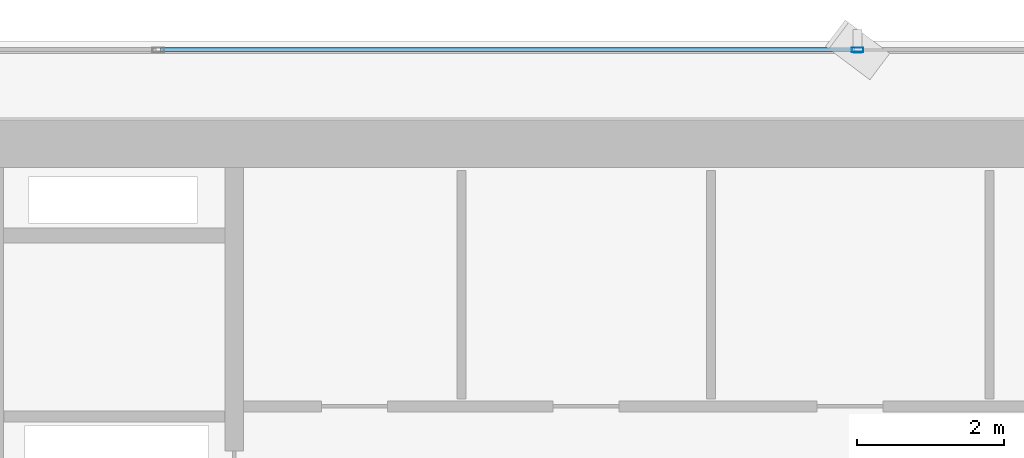
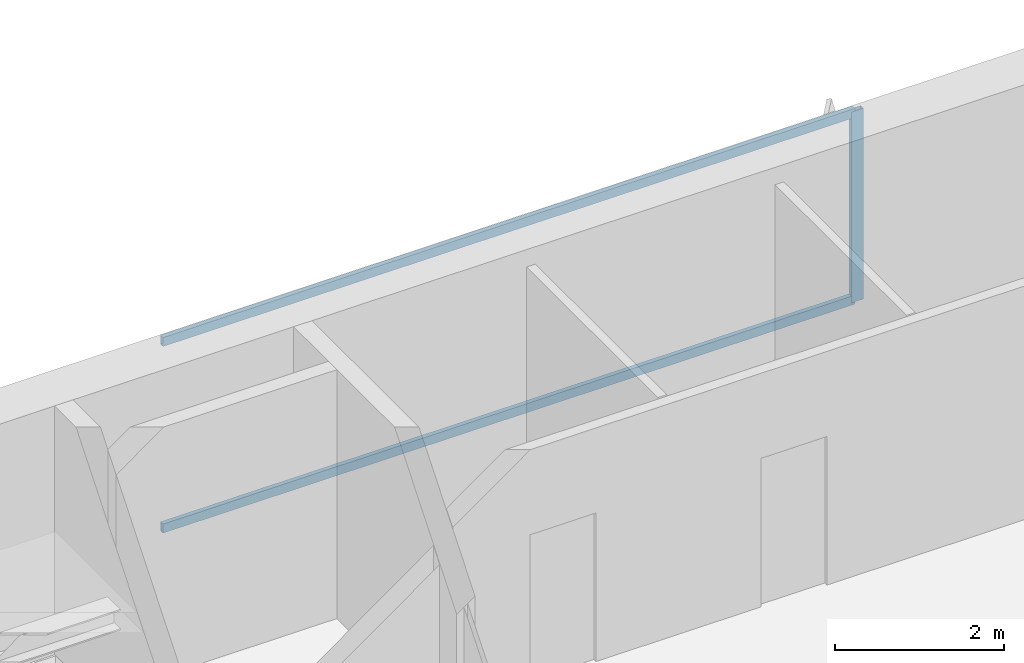
# One storey, part 16 of 27: 3 members, 1 element without a shape of its own.
"""IFC4 building model written with IfcOpenShell, lengths in metres."""

from ifc_helpers import new_model, si_unit, direction, frame, origin, origin_2d, place, context, subcontext, project, spatial, hollow_rectangle, extrude, source, transform, mapped, material, layer, layer_set, material_profile, profile_set, type_object, element, aggregate, save


model = new_model("IFC4")

# Units and contexts
model_context = context("Model", 3, precision=1e-05, world=origin(), true_north=direction((0.0, 1.0)))
body_context = subcontext(model_context, "Body", "Model", "MODEL_VIEW")
ifc_project = project(units=[si_unit("LENGTHUNIT", "METRE"), si_unit("AREAUNIT", "SQUARE_METRE"), si_unit("VOLUMEUNIT", "CUBIC_METRE"), si_unit("PLANEANGLEUNIT", "RADIAN"), si_unit("MASSUNIT", "GRAM", prefix="KILO")], contexts=[model_context])

# Site, building, storey
site_placement = place(None, origin())
site = spatial("IfcSite", under=ifc_project, at=site_placement, CompositionType="ELEMENT")
building_placement = place(site_placement, origin())
building = spatial("IfcBuilding", under=site, at=building_placement, Name="Sumidabori Civic Tower", CompositionType="ELEMENT")
storey_placement = place(building_placement, frame((0.0, 0.0, 164.0)))
storey = spatial("IfcBuildingStorey", under=building, at=storey_placement, Name="L42", CompositionType="ELEMENT", Elevation=164.0)

# Curtain wall, members
ifc_material = material(Name="Anodised Bronze Aluminium AW-6063-T6", Category="aluminium")
ifc_layer = layer(ifc_material, 0.179931640625, Name="Anodised Bronze Aluminium AW-6063-T6")
ifc_layer_set = layer_set([ifc_layer], Name="Anodised Bronze Aluminium AW-6063-T6")
curtain_wall_type = type_object("IfcCurtainWallType", Name="CW-SYS-3", PredefinedType="NOTDEFINED", material=ifc_layer_set)
curtain_wall_placement = place(storey_placement, origin())
curtain_wall = element("IfcCurtainWall", 1, at=curtain_wall_placement, inside=storey, type_object=curtain_wall_type, Name="Curtain Wall CW:L42:R07", PredefinedType="NOTDEFINED")
ifc_material_profile_1 = material_profile(ifc_material, hollow_rectangle(XDim=0.06494140625, YDim=0.159912109375, WallThickness=0.0048828125, at=origin_2d()), Name="ALU MULLION 160x65")
ifc_profile_set_1 = profile_set([ifc_material_profile_1], Name="Anodised Bronze Aluminium AW-6063-T6")
member_type_1 = type_object("IfcMemberType", Name="CW-MUL-160", PredefinedType="MULLION", material=ifc_profile_set_1)
shared_shape_1 = source(origin(), body_context, "Body", "SweptSolid", [
    extrude(hollow_rectangle(XDim=0.06494140625, YDim=0.159912109375, WallThickness=0.0048828125, at=origin_2d()), origin(), (0.0, 0.0, 1.0), 2.760009765625),
])
member_1_placement = place(storey_placement, frame((0.0, 25.080078125, 0.0), z_axis=(0.0, 0.0, 1.0), x_axis=(0.0, -1.0, 0.0)))
member_1 = element("IfcMember", 2, at=member_1_placement, type_object=member_type_1, Name="CW-3 mullion 3", PredefinedType="MULLION", context=body_context, shape_type="MappedRepresentation", body=[
    mapped(shared_shape_1, transform((0.0, 0.0, 0.0), x_axis=(1.0, 0.0, 0.0), y_axis=(0.0, 1.0, 0.0), z_axis=(0.0, 0.0, 1.0), scale=1.0)),
])
ifc_material_profile_2 = material_profile(ifc_material, hollow_rectangle(XDim=0.06005859375, YDim=0.1298828125, WallThickness=0.0048828125, at=origin_2d()), Name="ALU TRANSOM 130x60")
ifc_profile_set_2 = profile_set([ifc_material_profile_2], Name="Anodised Bronze Aluminium AW-6063-T6")
member_type_2 = type_object("IfcMemberType", Name="CW-TRN-130", PredefinedType="USERDEFINED", material=ifc_profile_set_2)
shared_shape_2 = source(origin(), body_context, "Body", "SweptSolid", [
    extrude(hollow_rectangle(XDim=0.06005859375, YDim=0.1298828125, WallThickness=0.0048828125, at=origin_2d()), origin(), (0.0, 0.0, 1.0), 9.469970703125),
])
member_2_placement = place(storey_placement, frame((-0.032470703125, 25.080078125, 0.030029296875), z_axis=(-1.0, 0.0, 0.0), x_axis=(0.0, -1.0, 0.0)))
member_2 = element("IfcMember", 3, at=member_2_placement, type_object=member_type_2, Name="CW-3 transom 3.1", ObjectType="TRANSOM", PredefinedType="USERDEFINED", context=body_context, shape_type="MappedRepresentation", body=[
    mapped(shared_shape_2, transform((0.0, 0.0, 0.0), x_axis=(1.0, 0.0, 0.0), y_axis=(0.0, 1.0, 0.0), z_axis=(0.0, 0.0, 1.0), scale=1.0)),
])
member_3_placement = place(storey_placement, frame((-0.032470703125, 25.080078125, 2.72998046875), z_axis=(-1.0, 0.0, 0.0), x_axis=(0.0, -1.0, 0.0)))
member_3 = element("IfcMember", 4, at=member_3_placement, type_object=member_type_2, Name="CW-3 transom 3.2", ObjectType="TRANSOM", PredefinedType="USERDEFINED", context=body_context, shape_type="MappedRepresentation", body=[
    mapped(shared_shape_2, transform((0.0, 0.0, 0.0), x_axis=(1.0, 0.0, 0.0), y_axis=(0.0, 1.0, 0.0), z_axis=(0.0, 0.0, 1.0), scale=1.0)),
])
aggregate(curtain_wall, [member_1, member_2, member_3])

save(model, "model.ifc")
